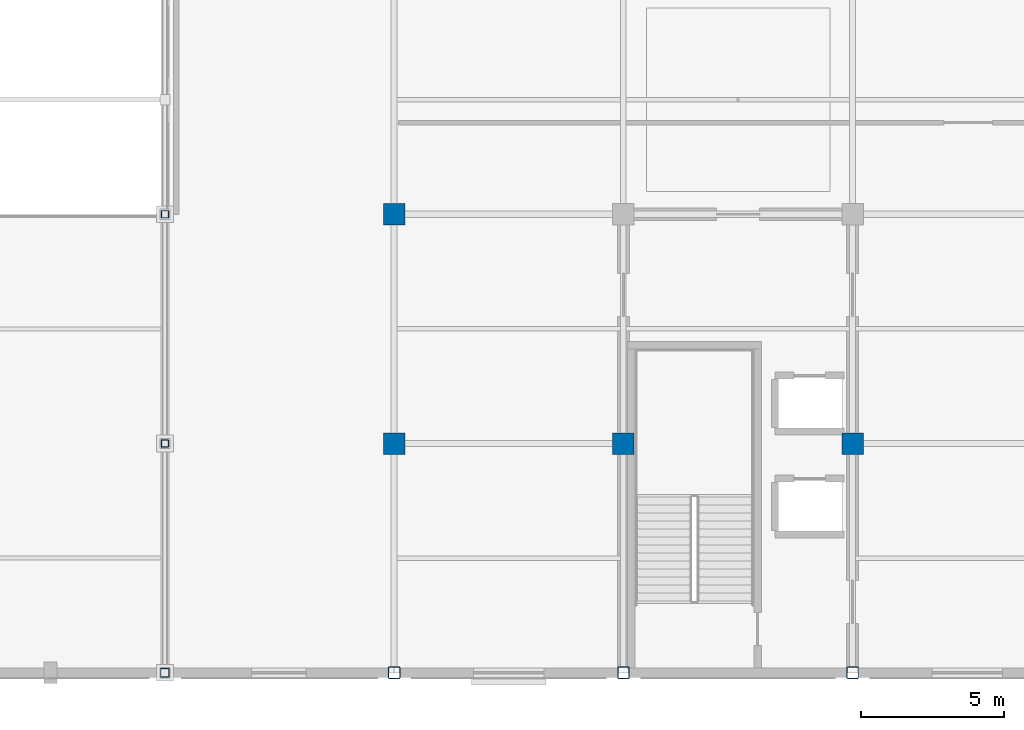
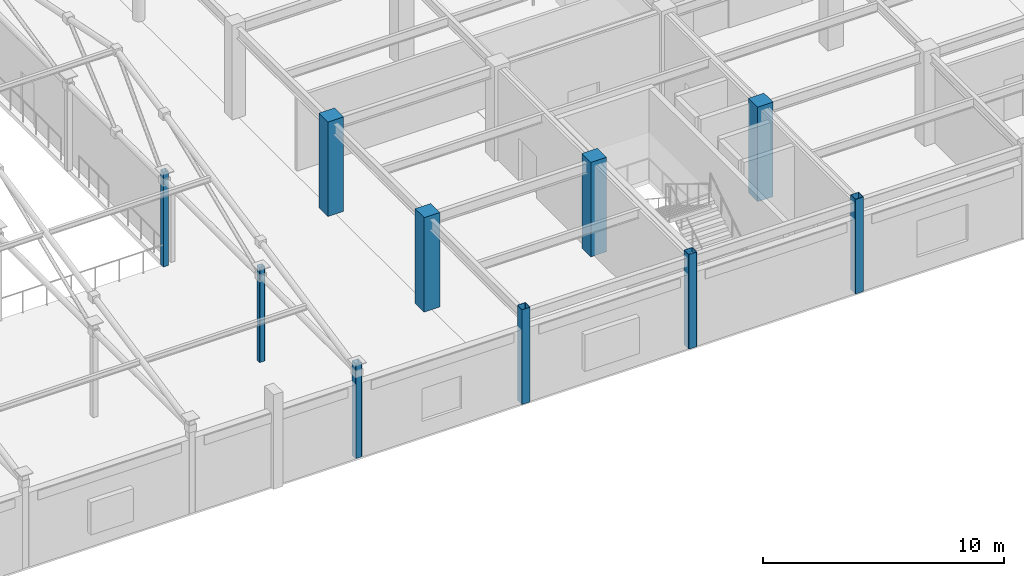
# One storey, part 4 of 117: 10 columns.
"""IFC4 building model written with IfcOpenShell, lengths in metres."""

from ifc_helpers import new_model, si_unit, direction, frame, origin, origin_2d, place, context, subcontext, project, spatial, rectangle, hollow_rectangle, extrude, material, material_profile, profile_set, type_object, element, save


model = new_model("IFC4")

# Units and contexts
model_context = context("Model", 3, precision=1e-05, world=origin(), true_north=direction((0.0, 1.0)))
body_context = subcontext(model_context, "Body", "Model", "MODEL_VIEW")
ifc_project = project(units=[si_unit("LENGTHUNIT", "METRE"), si_unit("AREAUNIT", "SQUARE_METRE"), si_unit("VOLUMEUNIT", "CUBIC_METRE"), si_unit("PLANEANGLEUNIT", "RADIAN"), si_unit("MASSUNIT", "GRAM", prefix="KILO")], contexts=[model_context])

# Site, building, storey
site_placement = place(None, origin())
site = spatial("IfcSite", under=ifc_project, at=site_placement, CompositionType="ELEMENT")
building_placement = place(site_placement, origin())
building = spatial("IfcBuilding", under=site, at=building_placement, Name="Solmirada Galleria", CompositionType="ELEMENT")
storey_placement = place(building_placement, frame((0.0, 0.0, 5.60009765625)))
storey = spatial("IfcBuildingStorey", under=building, at=storey_placement, Name="L01", CompositionType="ELEMENT", Elevation=5.60009765625)

# Columns
ifc_material_1 = material(Name="Steel S355 / ASTM A500 Grade C", Category="steel")
ifc_material_profile_1 = material_profile(ifc_material_1, hollow_rectangle(XDim=0.25390625, YDim=0.25390625, WallThickness=0.0087890625, InnerFilletRadius=0.0087890625, OuterFilletRadius=0.017822265625, at=origin_2d()), Name="HSS10X10X3/8")
ifc_profile_set_1 = profile_set([ifc_material_profile_1], Name="Steel S355 / ASTM A500 Grade C")
column_type_1 = type_object("IfcColumnType", Name="COL-HSS10", PredefinedType="COLUMN", material=ifc_profile_set_1)
for number, where, z_axis, x_axis, name in (
    (1, (72.0, 8.0, 0.0), (0.0, 0.0, 1.0), (1.0, 0.0, 0.0), "Structural column L01-0283"),
    (2, (72.0, 16.0, 0.0), (0.0, 0.0, 1.0), (1.0, 0.0, 0.0), "Structural column L01-0286"),
):
    element("IfcColumn", number, at=place(storey_placement, frame(where, z_axis=z_axis, x_axis=x_axis)), inside=storey, type_object=column_type_1, Name=name, PredefinedType="COLUMN", context=body_context, shape_type="SweptSolid", body=[
        extrude(hollow_rectangle(XDim=0.25390625, YDim=0.25390625, WallThickness=0.0087890625, InnerFilletRadius=0.0087890625, OuterFilletRadius=0.017822265625, at=origin_2d()), origin(), (0.0, 0.0, 1.0), 4.7998046875),
    ])
ifc_material_profile_2 = material_profile(ifc_material_1, hollow_rectangle(XDim=0.304931640625, YDim=0.304931640625, WallThickness=0.01171875, InnerFilletRadius=0.01171875, OuterFilletRadius=0.023681640625, at=origin_2d()), Name="HSS12X12X1/2")
ifc_profile_set_2 = profile_set([ifc_material_profile_2], Name="Steel S355 / ASTM A500 Grade C")
column_type_2 = type_object("IfcColumnType", Name="COL-HSS12", PredefinedType="COLUMN", material=ifc_profile_set_2)
column_placement = place(storey_placement, frame((72.0, 0.0, 0.0), z_axis=(0.0, 0.0, 1.0), x_axis=(1.0, 0.0, 0.0)))
element("IfcColumn", 3, at=column_placement, inside=storey, type_object=column_type_2, Name="Structural column L01-0280", PredefinedType="COLUMN", context=body_context, shape_type="SweptSolid", body=[
    extrude(hollow_rectangle(XDim=0.304931640625, YDim=0.304931640625, WallThickness=0.01171875, InnerFilletRadius=0.01171875, OuterFilletRadius=0.023681640625, at=origin_2d()), origin(), (0.0, 0.0, 1.0), 4.7998046875),
])
ifc_material_profile_3 = material_profile(ifc_material_1, hollow_rectangle(XDim=0.406005859375, YDim=0.406005859375, WallThickness=0.0146484375, InnerFilletRadius=0.0146484375, OuterFilletRadius=0.029296875, at=origin_2d()), Name="HSS16X16X5/8")
ifc_profile_set_3 = profile_set([ifc_material_profile_3], Name="Steel S355 / ASTM A500 Grade C")
column_type_3 = type_object("IfcColumnType", Name="COL-HSS16", PredefinedType="COLUMN", material=ifc_profile_set_3)
for number, where, z_axis, x_axis, name in (
    (4, (80.0, 0.0, 0.0), (0.0, 0.0, 1.0), (1.0, 0.0, 0.0), "Structural column L01-0347"),
    (5, (88.0, 0.0, 0.0), (0.0, 0.0, 1.0), (1.0, 0.0, 0.0), "Structural column L01-0464"),
    (6, (96.0, 0.0, 0.0), (0.0, 0.0, 1.0), (1.0, 0.0, 0.0), "Structural column L01-0586"),
):
    element("IfcColumn", number, at=place(storey_placement, frame(where, z_axis=z_axis, x_axis=x_axis)), inside=storey, type_object=column_type_3, Name=name, PredefinedType="COLUMN", context=body_context, shape_type="SweptSolid", body=[
        extrude(hollow_rectangle(XDim=0.406005859375, YDim=0.406005859375, WallThickness=0.0146484375, InnerFilletRadius=0.0146484375, OuterFilletRadius=0.029296875, at=origin_2d()), origin(), (0.0, 0.0, 1.0), 4.7998046875),
    ])
ifc_material_2 = material(Name="Concrete C40/50", Category="concrete")
ifc_material_profile_4 = material_profile(ifc_material_2, rectangle(XDim=0.75, YDim=0.75, at=origin_2d()), Name="RC750X750")
ifc_profile_set_4 = profile_set([ifc_material_profile_4], Name="Concrete C40/50")
column_type_4 = type_object("IfcColumnType", Name="COL-RC750", PredefinedType="COLUMN", material=ifc_profile_set_4)
for number, where, z_axis, x_axis, name in (
    (7, (80.0, 8.0, 0.0), (0.0, 0.0, 1.0), (1.0, 0.0, 0.0), "Structural column L01-0355"),
    (8, (80.0, 16.0, 0.0), (0.0, 0.0, 1.0), (1.0, 0.0, 0.0), "Structural column L01-0363"),
    (9, (88.0, 8.0, 0.0), (0.0, 0.0, 1.0), (1.0, 0.0, 0.0), "Structural column L01-0472"),
    (10, (96.0, 8.0, 0.0), (0.0, 0.0, 1.0), (1.0, 0.0, 0.0), "Structural column L01-0594"),
):
    element("IfcColumn", number, at=place(storey_placement, frame(where, z_axis=z_axis, x_axis=x_axis)), inside=storey, type_object=column_type_4, Name=name, PredefinedType="COLUMN", context=body_context, shape_type="SweptSolid", body=[
        extrude(rectangle(XDim=0.75, YDim=0.75, at=origin_2d()), origin(), (0.0, 0.0, 1.0), 4.7998046875),
    ])

save(model, "model.ifc")
